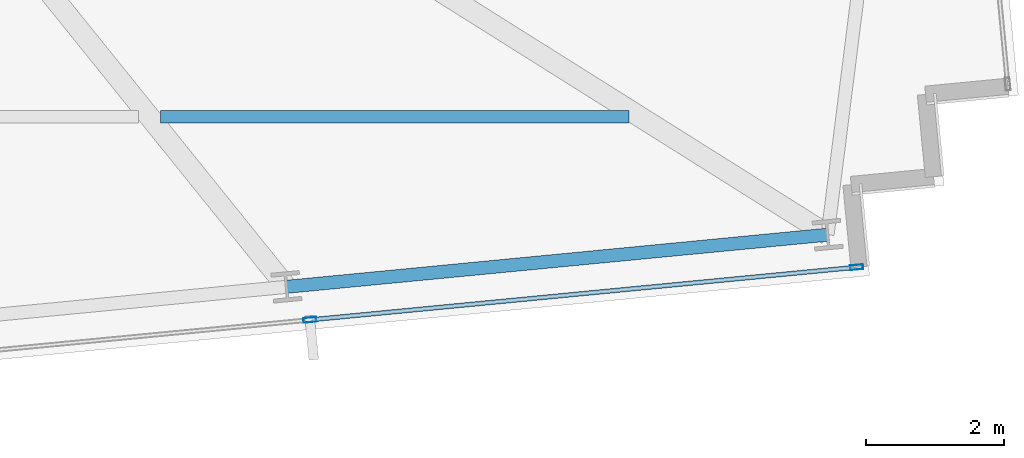
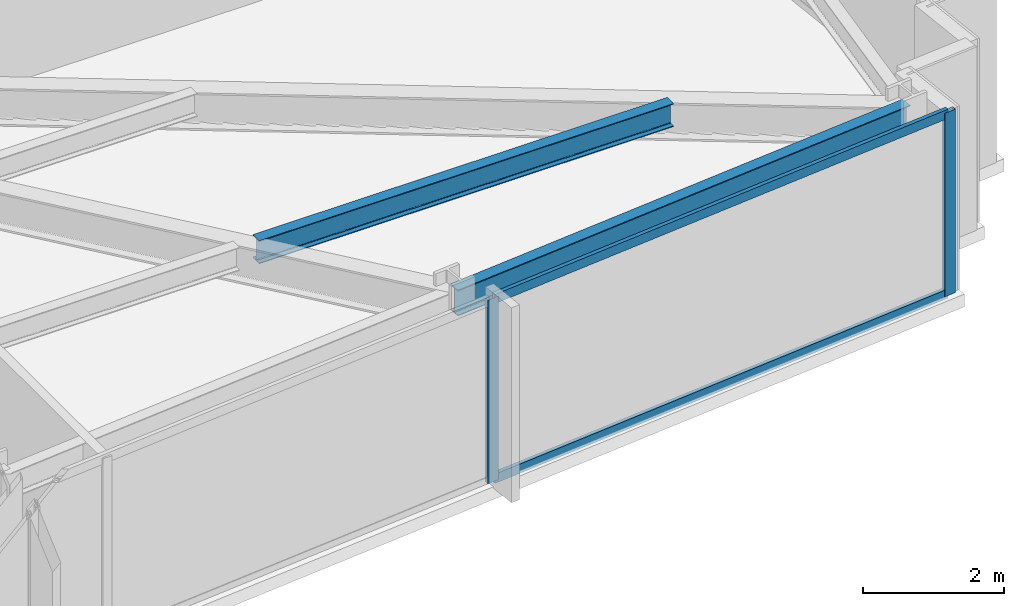
# One storey, part 12 of 32: 4 members, 2 beams, 1 element without a shape of its own.
"""IFC4 building model written with IfcOpenShell, lengths in metres."""

import ifcopenshell
import ifcopenshell.guid

model = None  # the IFC model being written
_history = None  # IfcOwnerHistory: only IFC2X3 demands one
_inside = {}  # id of a spatial element -> (the spatial element, [elements in it])
_under = {}  # id of a project, library or spatial element -> (it, [spatial elements below it])
_declared = {}  # id of a project -> (the project, [libraries it declares])
_typed = {}  # id of a type object -> (the type object, [elements of that type])
_made_of = {}  # id of a material, layer set ... -> (it, [elements and type objects made of it])


def new_model(schema):
    """Start an empty IFC model of exactly this schema.

    Asked for "IFC4X3", IfcOpenShell would pick the latest addendum, in which some entities
    have other attributes; the version numbers below select the first issue.
    IFC2X3 requires an IfcOwnerHistory on every rooted entity: one is made here for all.
    """
    global model, _history
    if schema == "IFC4X3":
        model = ifcopenshell.file(schema_version=(4, 3, 0, 0))
    else:
        model = ifcopenshell.file(schema=schema)
    _inside.clear()
    _under.clear()
    _declared.clear()
    _typed.clear()
    _made_of.clear()
    _history = None
    if model.schema == "IFC2X3":
        org = make("IfcOrganization", Name="unknown")
        user = make(
            "IfcPersonAndOrganization",
            ThePerson=make("IfcPerson", FamilyName="unknown"),
            TheOrganization=org,
        )
        app = make(
            "IfcApplication",
            ApplicationDeveloper=org,
            Version="unknown",
            ApplicationFullName="unknown",
            ApplicationIdentifier="unknown",
        )
        _history = make(
            "IfcOwnerHistory",
            OwningUser=user,
            OwningApplication=app,
            ChangeAction="ADDED",
            CreationDate=0,
        )
    return model


def make(cls, **values):
    """One entity of the class cls with the attributes given. An attribute that is None is left unset."""
    return model.create_entity(
        cls, **{name: value for name, value in values.items() if value is not None}
    )


def rooted(cls, **values):
    """An entity with a GlobalId (a new one), such as an element, a storey or a relation."""
    return make(cls, GlobalId=ifcopenshell.guid.new(), OwnerHistory=_history, **values)


def si_unit(unit_type, name, prefix=None):
    """IfcSIUnit, for example si_unit("LENGTHUNIT", "METRE", prefix="MILLI")."""
    return make("IfcSIUnit", UnitType=unit_type, Prefix=prefix, Name=name)


def assignment(units):
    """IfcUnitAssignment: the units of a project."""
    return None if units is None else make("IfcUnitAssignment", Units=units)


def point(xyz):
    """IfcCartesianPoint."""
    return None if xyz is None else make("IfcCartesianPoint", Coordinates=xyz)


def direction(xyz):
    """IfcDirection."""
    return None if xyz is None else make("IfcDirection", DirectionRatios=xyz)


def frame(location, z_axis=None, x_axis=None):
    """IfcAxis2Placement3D, a coordinate frame: its origin and axes. An axis left out is left unset."""
    return make(
        "IfcAxis2Placement3D",
        Location=point(location),
        Axis=direction(z_axis),
        RefDirection=direction(x_axis),
    )


def frame_2d(location, x_axis=None):
    """IfcAxis2Placement2D, a coordinate frame in the plane: its origin and x axis."""
    return make(
        "IfcAxis2Placement2D", Location=point(location), RefDirection=direction(x_axis)
    )


def origin():
    """The frame at (0, 0, 0) with its axes left unset."""
    return frame((0.0, 0.0, 0.0))


def origin_2d():
    """The frame at (0, 0) in the plane with its x axis left unset."""
    return frame_2d((0.0, 0.0))


def place(relative_to, where):
    """IfcLocalPlacement: puts the frame where relative to a parent placement (None: the world)."""
    return make(
        "IfcLocalPlacement", PlacementRelTo=relative_to, RelativePlacement=where
    )


def context(
    kind, dimensions, precision=None, world=None, true_north=None, identifier=None
):
    """IfcGeometricRepresentationContext, for example the 3D "Model" context."""
    return make(
        "IfcGeometricRepresentationContext",
        ContextIdentifier=identifier,
        ContextType=kind,
        CoordinateSpaceDimension=dimensions,
        Precision=precision,
        WorldCoordinateSystem=world,
        TrueNorth=true_north,
    )


def subcontext(parent, identifier, kind, view, scale=None):
    """IfcGeometricRepresentationSubContext, for example "Body" below "Model"."""
    return make(
        "IfcGeometricRepresentationSubContext",
        ContextIdentifier=identifier,
        ContextType=kind,
        ParentContext=parent,
        TargetScale=scale,
        TargetView=view,
    )


def project(units=None, contexts=None):
    """IfcProject with its units and contexts."""
    return rooted(
        "IfcProject",
        Name="project",
        RepresentationContexts=contexts,
        UnitsInContext=assignment(units),
    )


def spatial(cls, under=None, at=None, **own):
    """A site, building, storey or space (cls), placed at a placement, below another one or the project."""
    s = rooted(cls, ObjectPlacement=at, **own)
    if under is not None:
        _under.setdefault(under.id(), (under, []))[1].append(s)
    return s


def profile(cls, at=None, kind="AREA", **sizes):
    """A parametric profile (cls). Its sizes go by their IFC names, for example OverallWidth=200.0."""
    return make(cls, ProfileType=kind, Position=at, **sizes)


def hollow_rectangle(**sizes):
    """IfcRectangleHollowProfileDef."""
    return profile("IfcRectangleHollowProfileDef", **sizes)


def i_section(**sizes):
    """IfcIShapeProfileDef."""
    return profile("IfcIShapeProfileDef", **sizes)


def extrude(swept, where, along, depth):
    """IfcExtrudedAreaSolid: the profile swept, set in the frame where, extruded along a direction by depth."""
    return make(
        "IfcExtrudedAreaSolid",
        SweptArea=swept,
        Position=where,
        ExtrudedDirection=direction(along),
        Depth=depth,
    )


def shape(context_of_items, identifier, shape_type, items):
    """IfcShapeRepresentation: the items that make up one representation, for example the "Body"."""
    return make(
        "IfcShapeRepresentation",
        ContextOfItems=context_of_items,
        RepresentationIdentifier=identifier,
        RepresentationType=shape_type,
        Items=items,
    )


def material(Name=None, Category=None):
    """IfcMaterial."""
    return make("IfcMaterial", Name=Name, Category=Category)


def material_profile(
    of_material, cross_section, Name=None, Category=None, Priority=None
):
    """IfcMaterialProfile: a cross section and its material."""
    return make(
        "IfcMaterialProfile",
        Name=Name,
        Material=of_material,
        Profile=cross_section,
        Priority=Priority,
        Category=Category,
    )


def profile_set(profiles, Name=None, composite=None):
    """IfcMaterialProfileSet."""
    return make(
        "IfcMaterialProfileSet",
        Name=Name,
        MaterialProfiles=profiles,
        CompositeProfile=composite,
    )


def made_of(thing, what):
    """Note that an element or type object is made of a material, layer set ...; save() writes the relation."""
    if what is not None:
        _made_of.setdefault(what.id(), (what, []))[1].append(thing)
    return thing


def type_object(cls, material=None, **own):
    """A type object (cls), such as IfcWallType, which elements share."""
    return made_of(rooted(cls, **own), material)


def element(
    cls,
    number,
    at=None,
    inside=None,
    cuts=None,
    type_object=None,
    material=None,
    context=None,
    identifier="Body",
    shape_type=None,
    held_by="IfcProductDefinitionShape",
    body=None,
    shapes=None,
    **own,
):
    """One element of the class cls, such as IfcWall. Its Tag is "e" and its number.

    at: its placement. inside: the storey or other place that contains it. cuts: it is an
    opening in that element (IfcRelVoidsElement). A single representation is given by context,
    identifier, shape_type and body (its items); several are given by shapes. held_by: the class
    of the entity that holds the representations. save() writes the other relations.
    """
    e = rooted(cls, Tag="e%d" % number, ObjectPlacement=at, **own)
    if body is not None:
        shapes = [shape(context, identifier, shape_type, body)]
    if shapes is not None:
        e.Representation = make(held_by, Representations=shapes)
    if inside is not None:
        _inside.setdefault(inside.id(), (inside, []))[1].append(e)
    if cuts is not None:
        rooted(
            "IfcRelVoidsElement", RelatingBuildingElement=cuts, RelatedOpeningElement=e
        )
    if type_object is not None:
        _typed.setdefault(type_object.id(), (type_object, []))[1].append(e)
    return made_of(e, material)


def aggregate(whole, parts):
    """IfcRelAggregates: a whole, such as a stair, and the parts it consists of."""
    return rooted("IfcRelAggregates", RelatingObject=whole, RelatedObjects=parts)


def save(model, path):
    """Write the relations noted so far, then the file.

    IfcRelAggregates (storeys below a building ...), IfcRelContainedInSpatialStructure (elements
    in a storey), IfcRelDefinesByType, IfcRelAssociatesMaterial and IfcRelDeclares: one each for
    every whole, place, type object, material and project.
    """
    for whole, parts in _under.values():
        aggregate(whole, parts)
    for where, things in _inside.values():
        rooted(
            "IfcRelContainedInSpatialStructure",
            RelatedElements=things,
            RelatingStructure=where,
        )
    for kind, things in _typed.values():
        rooted("IfcRelDefinesByType", RelatedObjects=things, RelatingType=kind)
    for what, things in _made_of.values():
        rooted("IfcRelAssociatesMaterial", RelatedObjects=things, RelatingMaterial=what)
    for by, libraries in _declared.values():
        rooted("IfcRelDeclares", RelatingContext=by, RelatedDefinitions=libraries)
    model.write(path)


model = new_model("IFC4")

# Units and contexts
model_context = context("Model", 3, precision=1e-05, world=origin(), true_north=direction((0.0, 1.0)))
body_context = subcontext(model_context, "Body", "Model", "MODEL_VIEW")
ifc_project = project(units=[si_unit("LENGTHUNIT", "METRE"), si_unit("AREAUNIT", "SQUARE_METRE"), si_unit("VOLUMEUNIT", "CUBIC_METRE"), si_unit("PLANEANGLEUNIT", "RADIAN"), si_unit("MASSUNIT", "GRAM", prefix="KILO")], contexts=[model_context])

# Site, building, storey
site_placement = place(None, origin())
site = spatial("IfcSite", under=ifc_project, at=site_placement, CompositionType="ELEMENT")
building_placement = place(site_placement, origin())
building = spatial("IfcBuilding", under=site, at=building_placement, Name="Yelkora Congress Tower", CompositionType="ELEMENT")
storey_placement = place(building_placement, frame((0.0, 0.0, 93.10009765625)))
storey = spatial("IfcBuildingStorey", under=building, at=storey_placement, Name="L24", CompositionType="ELEMENT", Elevation=93.10009765625)

# Beams
ifc_material_1 = material(Name="Steel S355J2", Category="steel")
ifc_material_profile_1 = material_profile(ifc_material_1, i_section(OverallWidth=0.179931640625, OverallDepth=0.39990234375, WebThickness=0.008544921875, FlangeThickness=0.013427734375, FilletRadius=0.02099609375, at=origin_2d()), Name="IPE 400")
ifc_profile_set_1 = profile_set([ifc_material_profile_1], Name="Steel S355J2")
beam_type_1 = type_object("IfcBeamType", Name="BM-JOIST-IPE400", PredefinedType="JOIST", material=ifc_profile_set_1)
beam_1_placement = place(storey_placement, frame((65.056396484375, 16.144287109375, 2.97998046875), z_axis=(1.0, 0.0, 0.0), x_axis=(0.0, 1.0, 0.0)))
element("IfcBeam", 1, at=beam_1_placement, inside=storey, type_object=beam_type_1, Name="L24 Composite Floor Joist 10", PredefinedType="JOIST", context=body_context, shape_type="SweptSolid", body=[
    extrude(i_section(OverallWidth=0.179931640625, OverallDepth=0.39990234375, WebThickness=0.008544921875, FlangeThickness=0.013427734375, FilletRadius=0.02099609375, at=origin_2d()), origin(), (0.0, 0.0, 1.0), 6.795166015625),
])
ifc_material_profile_2 = material_profile(ifc_material_1, i_section(OverallWidth=0.18994140625, OverallDepth=0.449951171875, WebThickness=0.009521484375, FlangeThickness=0.0146484375, FilletRadius=0.02099609375, at=origin_2d()), Name="IPE 450")
ifc_profile_set_2 = profile_set([ifc_material_profile_2], Name="Steel S355J2")
beam_type_2 = type_object("IfcBeamType", Name="BM-SPAN-IPE450", PredefinedType="SPANDREL", material=ifc_profile_set_2)
beam_2_placement = place(storey_placement, frame((66.882568359375, 13.67919921875, 2.954833984375), z_axis=(0.995395575667, 0.095852219286, 0.0), x_axis=(-0.095852219286, 0.995395575667, 0.0)))
element("IfcBeam", 2, at=beam_2_placement, inside=storey, type_object=beam_type_2, Name="L24 Perimeter Beam 9", PredefinedType="SPANDREL", context=body_context, shape_type="SweptSolid", body=[
    extrude(i_section(OverallWidth=0.18994140625, OverallDepth=0.449951171875, WebThickness=0.009521484375, FlangeThickness=0.0146484375, FilletRadius=0.02099609375, at=origin_2d()), origin(), (0.0, 0.0, 1.0), 7.8857421875),
])

# Curtain wall, members
ifc_material_2 = material(Name="Anodised aluminium and insulated glass", Category="aluminium")
curtain_wall_type = type_object("IfcCurtainWallType", Name="CW-SYS-B2", PredefinedType="NOTDEFINED", material=ifc_material_2)
curtain_wall_placement = place(storey_placement, origin())
curtain_wall = element("IfcCurtainWall", 3, at=curtain_wall_placement, inside=storey, type_object=curtain_wall_type, Name="L24 Unitised Curtain Wall 20", PredefinedType="NOTDEFINED")
ifc_material_3 = material(Name="Anodised aluminium 6063-T6", Category="aluminium")
ifc_material_profile_3 = material_profile(ifc_material_3, hollow_rectangle(XDim=0.070068359375, YDim=0.18994140625, WallThickness=0.00390625, at=origin_2d()), Name="ALU 70x190x4")
ifc_profile_set_3 = profile_set([ifc_material_profile_3], Name="Anodised aluminium 6063-T6")
member_type_1 = type_object("IfcMemberType", Name="MEM-ML-B2", PredefinedType="MULLION", material=ifc_profile_set_3)
member_1_placement = place(storey_placement, frame((75.154052734375, 13.96337890625, 0.0), z_axis=(0.0, 0.0, 1.0), x_axis=(0.095844345816, -0.995396333816, 0.0)))
member_1 = element("IfcMember", 4, at=member_1_placement, type_object=member_type_1, Name="CW-B2 mullion 1", PredefinedType="MULLION", context=body_context, shape_type="SweptSolid", body=[
    extrude(hollow_rectangle(XDim=0.070068359375, YDim=0.18994140625, WallThickness=0.00390625, at=origin_2d()), origin(), (0.0, 0.0, 1.0), 3.179931640625),
])
member_2_placement = place(storey_placement, frame((67.222900390625, 13.19970703125, 0.0), z_axis=(0.0, 0.0, 1.0), x_axis=(0.095844345816, -0.995396333816, 0.0)))
member_2 = element("IfcMember", 5, at=member_2_placement, type_object=member_type_1, Name="CW-B2 mullion 2", PredefinedType="MULLION", context=body_context, shape_type="SweptSolid", body=[
    extrude(hollow_rectangle(XDim=0.070068359375, YDim=0.18994140625, WallThickness=0.00390625, at=origin_2d()), origin(), (0.0, 0.0, 1.0), 3.179931640625),
])
ifc_material_profile_4 = material_profile(ifc_material_3, hollow_rectangle(XDim=0.06494140625, YDim=0.159912109375, WallThickness=0.00390625, at=origin_2d()), Name="ALU 65x160x4")
ifc_profile_set_4 = profile_set([ifc_material_profile_4], Name="Anodised aluminium 6063-T6")
member_type_2 = type_object("IfcMemberType", Name="MEM-TR-B2", PredefinedType="USERDEFINED", material=ifc_profile_set_4)
member_3_placement = place(storey_placement, frame((75.119140625, 13.9599609375, 0.032470703125), z_axis=(-0.995397978421, -0.095827264157, 0.0), x_axis=(0.095827264157, -0.995397978421, 0.0)))
member_3 = element("IfcMember", 6, at=member_3_placement, type_object=member_type_2, Name="CW-B2 transom 1.1", ObjectType="TRANSOM", PredefinedType="USERDEFINED", context=body_context, shape_type="SweptSolid", body=[
    extrude(hollow_rectangle(XDim=0.06494140625, YDim=0.159912109375, WallThickness=0.00390625, at=origin_2d()), origin(), (0.0, 0.0, 1.0), 7.89794921875),
])
member_4_placement = place(storey_placement, frame((75.119140625, 13.9599609375, 3.1474609375), z_axis=(-0.995397978421, -0.095827264157, 0.0), x_axis=(0.095827264157, -0.995397978421, 0.0)))
member_4 = element("IfcMember", 7, at=member_4_placement, type_object=member_type_2, Name="CW-B2 transom 1.2", ObjectType="TRANSOM", PredefinedType="USERDEFINED", context=body_context, shape_type="SweptSolid", body=[
    extrude(hollow_rectangle(XDim=0.06494140625, YDim=0.159912109375, WallThickness=0.00390625, at=origin_2d()), origin(), (0.0, 0.0, 1.0), 7.89794921875),
])
aggregate(curtain_wall, [member_1, member_2, member_3, member_4])

save(model, "model.ifc")
